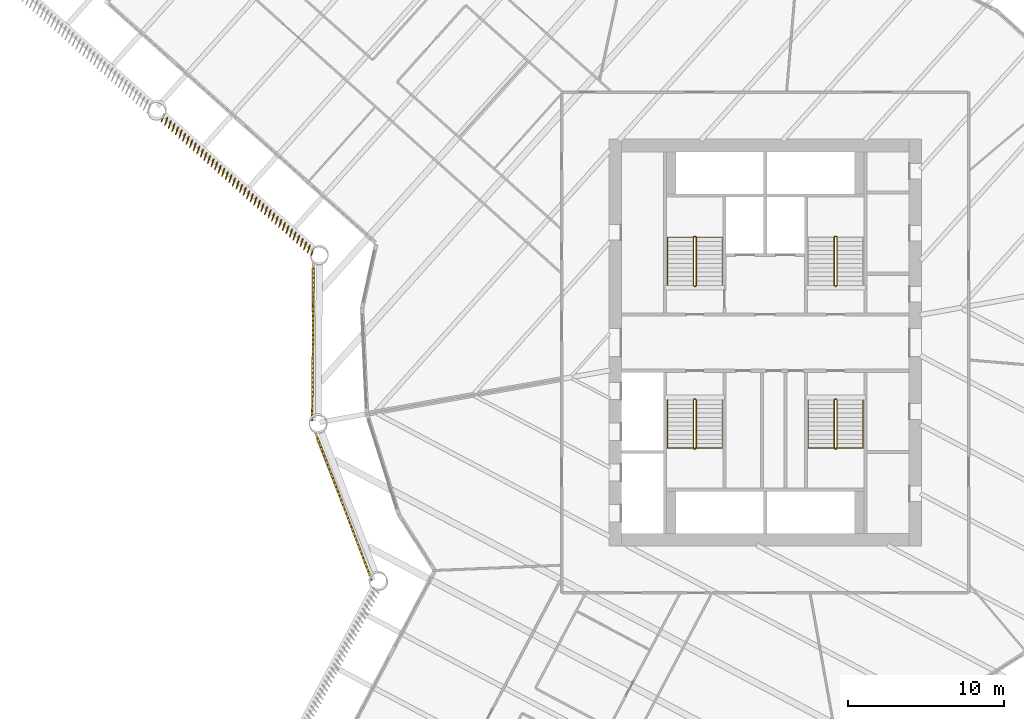
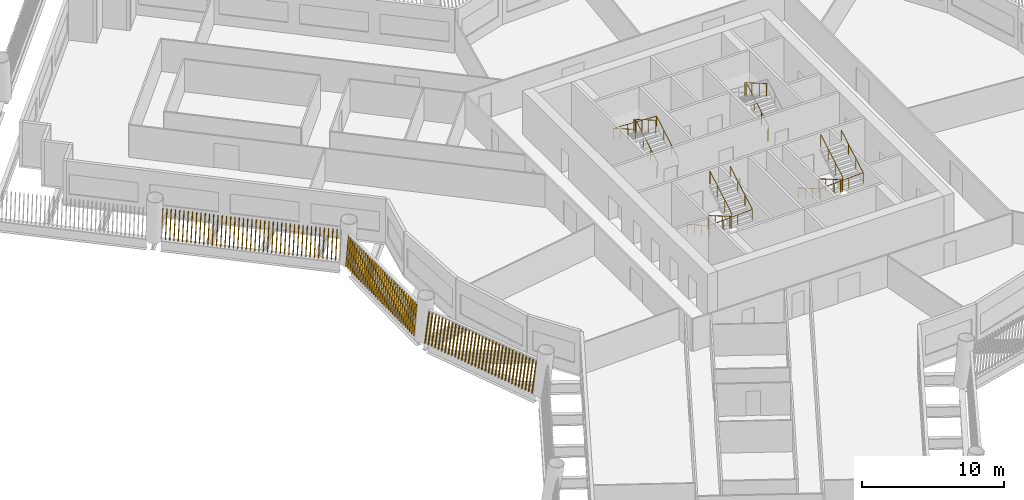
# One storey, part 12 of 16: 7 railings, 3 shading devices.
"""IFC4 building model written with IfcOpenShell, lengths in metres."""

import ifcopenshell
import ifcopenshell.guid

model = None  # the IFC model being written
_history = None  # IfcOwnerHistory: only IFC2X3 demands one
_inside = {}  # id of a spatial element -> (the spatial element, [elements in it])
_under = {}  # id of a project, library or spatial element -> (it, [spatial elements below it])
_declared = {}  # id of a project -> (the project, [libraries it declares])
_typed = {}  # id of a type object -> (the type object, [elements of that type])
_made_of = {}  # id of a material, layer set ... -> (it, [elements and type objects made of it])


def new_model(schema):
    """Start an empty IFC model of exactly this schema.

    Asked for "IFC4X3", IfcOpenShell would pick the latest addendum, in which some entities
    have other attributes; the version numbers below select the first issue.
    IFC2X3 requires an IfcOwnerHistory on every rooted entity: one is made here for all.
    """
    global model, _history
    if schema == "IFC4X3":
        model = ifcopenshell.file(schema_version=(4, 3, 0, 0))
    else:
        model = ifcopenshell.file(schema=schema)
    _inside.clear()
    _under.clear()
    _declared.clear()
    _typed.clear()
    _made_of.clear()
    _history = None
    if model.schema == "IFC2X3":
        org = make("IfcOrganization", Name="unknown")
        user = make(
            "IfcPersonAndOrganization",
            ThePerson=make("IfcPerson", FamilyName="unknown"),
            TheOrganization=org,
        )
        app = make(
            "IfcApplication",
            ApplicationDeveloper=org,
            Version="unknown",
            ApplicationFullName="unknown",
            ApplicationIdentifier="unknown",
        )
        _history = make(
            "IfcOwnerHistory",
            OwningUser=user,
            OwningApplication=app,
            ChangeAction="ADDED",
            CreationDate=0,
        )
    return model


def make(cls, **values):
    """One entity of the class cls with the attributes given. An attribute that is None is left unset."""
    return model.create_entity(
        cls, **{name: value for name, value in values.items() if value is not None}
    )


def rooted(cls, **values):
    """An entity with a GlobalId (a new one), such as an element, a storey or a relation."""
    return make(cls, GlobalId=ifcopenshell.guid.new(), OwnerHistory=_history, **values)


def si_unit(unit_type, name, prefix=None):
    """IfcSIUnit, for example si_unit("LENGTHUNIT", "METRE", prefix="MILLI")."""
    return make("IfcSIUnit", UnitType=unit_type, Prefix=prefix, Name=name)


def assignment(units):
    """IfcUnitAssignment: the units of a project."""
    return None if units is None else make("IfcUnitAssignment", Units=units)


def point(xyz):
    """IfcCartesianPoint."""
    return None if xyz is None else make("IfcCartesianPoint", Coordinates=xyz)


def direction(xyz):
    """IfcDirection."""
    return None if xyz is None else make("IfcDirection", DirectionRatios=xyz)


def frame(location, z_axis=None, x_axis=None):
    """IfcAxis2Placement3D, a coordinate frame: its origin and axes. An axis left out is left unset."""
    return make(
        "IfcAxis2Placement3D",
        Location=point(location),
        Axis=direction(z_axis),
        RefDirection=direction(x_axis),
    )


def frame_2d(location, x_axis=None):
    """IfcAxis2Placement2D, a coordinate frame in the plane: its origin and x axis."""
    return make(
        "IfcAxis2Placement2D", Location=point(location), RefDirection=direction(x_axis)
    )


def origin():
    """The frame at (0, 0, 0) with its axes left unset."""
    return frame((0.0, 0.0, 0.0))


def origin_2d():
    """The frame at (0, 0) in the plane with its x axis left unset."""
    return frame_2d((0.0, 0.0))


def place(relative_to, where):
    """IfcLocalPlacement: puts the frame where relative to a parent placement (None: the world)."""
    return make(
        "IfcLocalPlacement", PlacementRelTo=relative_to, RelativePlacement=where
    )


def context(
    kind, dimensions, precision=None, world=None, true_north=None, identifier=None
):
    """IfcGeometricRepresentationContext, for example the 3D "Model" context."""
    return make(
        "IfcGeometricRepresentationContext",
        ContextIdentifier=identifier,
        ContextType=kind,
        CoordinateSpaceDimension=dimensions,
        Precision=precision,
        WorldCoordinateSystem=world,
        TrueNorth=true_north,
    )


def subcontext(parent, identifier, kind, view, scale=None):
    """IfcGeometricRepresentationSubContext, for example "Body" below "Model"."""
    return make(
        "IfcGeometricRepresentationSubContext",
        ContextIdentifier=identifier,
        ContextType=kind,
        ParentContext=parent,
        TargetScale=scale,
        TargetView=view,
    )


def project(units=None, contexts=None):
    """IfcProject with its units and contexts."""
    return rooted(
        "IfcProject",
        Name="project",
        RepresentationContexts=contexts,
        UnitsInContext=assignment(units),
    )


def spatial(cls, under=None, at=None, **own):
    """A site, building, storey or space (cls), placed at a placement, below another one or the project."""
    s = rooted(cls, ObjectPlacement=at, **own)
    if under is not None:
        _under.setdefault(under.id(), (under, []))[1].append(s)
    return s


def profile(cls, at=None, kind="AREA", **sizes):
    """A parametric profile (cls). Its sizes go by their IFC names, for example OverallWidth=200.0."""
    return make(cls, ProfileType=kind, Position=at, **sizes)


def rectangle(**sizes):
    """IfcRectangleProfileDef."""
    return profile("IfcRectangleProfileDef", **sizes)


def circle(**sizes):
    """IfcCircleProfileDef."""
    return profile("IfcCircleProfileDef", **sizes)


def composite_profile(profiles, kind="AREA"):
    """IfcCompositeProfileDef: several profiles as one."""
    return make("IfcCompositeProfileDef", ProfileType=kind, Profiles=profiles)


def extrude(swept, where, along, depth):
    """IfcExtrudedAreaSolid: the profile swept, set in the frame where, extruded along a direction by depth."""
    return make(
        "IfcExtrudedAreaSolid",
        SweptArea=swept,
        Position=where,
        ExtrudedDirection=direction(along),
        Depth=depth,
    )


def shape(context_of_items, identifier, shape_type, items):
    """IfcShapeRepresentation: the items that make up one representation, for example the "Body"."""
    return make(
        "IfcShapeRepresentation",
        ContextOfItems=context_of_items,
        RepresentationIdentifier=identifier,
        RepresentationType=shape_type,
        Items=items,
    )


def material(Name=None, Category=None):
    """IfcMaterial."""
    return make("IfcMaterial", Name=Name, Category=Category)


def made_of(thing, what):
    """Note that an element or type object is made of a material, layer set ...; save() writes the relation."""
    if what is not None:
        _made_of.setdefault(what.id(), (what, []))[1].append(thing)
    return thing


def type_object(cls, material=None, **own):
    """A type object (cls), such as IfcWallType, which elements share."""
    return made_of(rooted(cls, **own), material)


def element(
    cls,
    number,
    at=None,
    inside=None,
    cuts=None,
    type_object=None,
    material=None,
    context=None,
    identifier="Body",
    shape_type=None,
    held_by="IfcProductDefinitionShape",
    body=None,
    shapes=None,
    **own,
):
    """One element of the class cls, such as IfcWall. Its Tag is "e" and its number.

    at: its placement. inside: the storey or other place that contains it. cuts: it is an
    opening in that element (IfcRelVoidsElement). A single representation is given by context,
    identifier, shape_type and body (its items); several are given by shapes. held_by: the class
    of the entity that holds the representations. save() writes the other relations.
    """
    e = rooted(cls, Tag="e%d" % number, ObjectPlacement=at, **own)
    if body is not None:
        shapes = [shape(context, identifier, shape_type, body)]
    if shapes is not None:
        e.Representation = make(held_by, Representations=shapes)
    if inside is not None:
        _inside.setdefault(inside.id(), (inside, []))[1].append(e)
    if cuts is not None:
        rooted(
            "IfcRelVoidsElement", RelatingBuildingElement=cuts, RelatedOpeningElement=e
        )
    if type_object is not None:
        _typed.setdefault(type_object.id(), (type_object, []))[1].append(e)
    return made_of(e, material)


def aggregate(whole, parts):
    """IfcRelAggregates: a whole, such as a stair, and the parts it consists of."""
    return rooted("IfcRelAggregates", RelatingObject=whole, RelatedObjects=parts)


def save(model, path):
    """Write the relations noted so far, then the file.

    IfcRelAggregates (storeys below a building ...), IfcRelContainedInSpatialStructure (elements
    in a storey), IfcRelDefinesByType, IfcRelAssociatesMaterial and IfcRelDeclares: one each for
    every whole, place, type object, material and project.
    """
    for whole, parts in _under.values():
        aggregate(whole, parts)
    for where, things in _inside.values():
        rooted(
            "IfcRelContainedInSpatialStructure",
            RelatedElements=things,
            RelatingStructure=where,
        )
    for kind, things in _typed.values():
        rooted("IfcRelDefinesByType", RelatedObjects=things, RelatingType=kind)
    for what, things in _made_of.values():
        rooted("IfcRelAssociatesMaterial", RelatedObjects=things, RelatingMaterial=what)
    for by, libraries in _declared.values():
        rooted("IfcRelDeclares", RelatingContext=by, RelatedDefinitions=libraries)
    model.write(path)


model = new_model("IFC4")

# Units and contexts
model_context = context("Model", 3, precision=1e-05, world=origin(), true_north=direction((0.0, 1.0)))
body_context = subcontext(model_context, "Body", "Model", "MODEL_VIEW")
ifc_project = project(units=[si_unit("LENGTHUNIT", "METRE"), si_unit("AREAUNIT", "SQUARE_METRE"), si_unit("VOLUMEUNIT", "CUBIC_METRE"), si_unit("PLANEANGLEUNIT", "RADIAN"), si_unit("MASSUNIT", "GRAM", prefix="KILO")], contexts=[model_context])

# Site, building, storey
site_placement = place(None, origin())
site = spatial("IfcSite", under=ifc_project, at=site_placement, CompositionType="ELEMENT")
building_placement = place(site_placement, origin())
building = spatial("IfcBuilding", under=site, at=building_placement, Name="Tarsis Ring Headquarters", CompositionType="ELEMENT")
storey_placement = place(building_placement, frame((0.0, 0.0, 96.699951171875)))
storey = spatial("IfcBuildingStorey", under=building, at=storey_placement, Name="L21", CompositionType="ELEMENT", Elevation=96.699951171875)

# Railings
ifc_material_1 = material(Name="Steel S355", Category="steel")
railing_type_1 = type_object("IfcRailingType", Name="Core stair guard 1100", PredefinedType="GUARDRAIL", material=ifc_material_1)
railing_1_placement = place(storey_placement, frame((-4.5400390625, 3.610107421875, 0.0)))
element("IfcRailing", 1, at=railing_1_placement, inside=storey, type_object=railing_type_1, Name="L21 ST1 stair guard 1", PredefinedType="GUARDRAIL", context=body_context, shape_type="SweptSolid", body=[
    extrude(circle(Radius=0.02392578125, at=origin_2d()), frame((0.0, 0.0, 1.076171875), z_axis=(1.0, 0.0, 0.0), x_axis=(0.0, 1.0, 0.0)), (0.0, 0.0, 1.0), 0.080078125),
    extrude(circle(Radius=0.02392578125, at=origin_2d()), frame((0.080078125, 0.0, 1.076171875), z_axis=(0.282336740067, 0.280959487676, 0.917250092119), x_axis=(-0.705375805398, 0.708833529934, 0.0)), (0.0, 0.0, 1.0), 0.17724609375),
    extrude(circle(Radius=0.02392578125, at=origin_2d()), frame((0.130126953125, 0.0498046875, 1.23876953125), z_axis=(0.0, 0.864920483161, 0.501908913857), x_axis=(-1.0, 0.0, 0.0)), (0.0, 0.0, 1.0), 3.56103515625),
    extrude(circle(Radius=0.02392578125, at=origin_2d()), frame((0.130126953125, 3.1298828125, 3.02587890625), z_axis=(-0.707106781187, 0.707106781187, 0.0), x_axis=(-0.707106781187, -0.707106781187, 0.0)), (0.0, 0.0, 1.0), 0.07080078125),
    extrude(circle(Radius=0.02392578125, at=origin_2d()), frame((0.080078125, 3.179931640625, 3.02587890625), z_axis=(-1.0, 0.0, 0.0), x_axis=(0.0, -1.0, 0.0)), (0.0, 0.0, 1.0), 0.080078125),
    extrude(circle(Radius=0.02392578125, at=origin_2d()), frame((0.0, 3.179931640625, 3.02587890625), z_axis=(-0.282227285176, -0.282227285176, 0.916894497205), x_axis=(0.707106781187, -0.707106781187, 0.0)), (0.0, 0.0, 1.0), 0.17724609375),
    extrude(circle(Radius=0.02392578125, at=origin_2d()), frame((-0.050048828125, 3.1298828125, 3.1884765625), z_axis=(0.0, -0.864890721111, 0.501960198159), x_axis=(1.0, 0.0, 0.0)), (0.0, 0.0, 1.0), 3.561279296875),
    extrude(circle(Radius=0.02099609375, at=origin_2d()), origin(), (0.0, 0.0, 1.0), 1.052001953125),
    extrude(circle(Radius=0.02099609375, at=origin_2d()), frame((0.080078125, 0.0, 0.0)), (0.0, 0.0, 1.0), 1.052001953125),
    extrude(circle(Radius=0.02099609375, at=origin_2d()), frame((0.130126953125, 0.0498046875, 0.16259765625)), (0.0, 0.0, 1.0), 1.052001953125),
    extrude(circle(Radius=0.02099609375, at=origin_2d()), frame((0.130126953125, 1.076416015625, 0.75830078125)), (0.0, 0.0, 1.0), 1.052001953125),
    extrude(circle(Radius=0.02099609375, at=origin_2d()), frame((0.130126953125, 2.103271484375, 1.354248046875)), (0.0, 0.0, 1.0), 1.052001953125),
    extrude(circle(Radius=0.02099609375, at=origin_2d()), frame((0.130126953125, 3.1298828125, 1.949951171875)), (0.0, 0.0, 1.0), 1.052001953125),
    extrude(circle(Radius=0.02099609375, at=origin_2d()), frame((0.080078125, 3.179931640625, 1.949951171875)), (0.0, 0.0, 1.0), 1.052001953125),
    extrude(circle(Radius=0.02099609375, at=origin_2d()), frame((0.0, 3.179931640625, 1.949951171875)), (0.0, 0.0, 1.0), 1.052001953125),
    extrude(circle(Radius=0.02099609375, at=origin_2d()), frame((-0.050048828125, 3.1298828125, 2.112548828125)), (0.0, 0.0, 1.0), 1.052001953125),
    extrude(circle(Radius=0.02099609375, at=origin_2d()), frame((-0.050048828125, 2.103271484375, 2.70849609375)), (0.0, 0.0, 1.0), 1.052001953125),
    extrude(circle(Radius=0.02099609375, at=origin_2d()), frame((-0.050048828125, 1.076416015625, 3.30419921875)), (0.0, 0.0, 1.0), 1.052001953125),
    extrude(circle(Radius=0.02099609375, at=origin_2d()), frame((-0.050048828125, 0.0498046875, 3.900146484375)), (0.0, 0.0, 1.0), 1.052001953125),
])
railing_2_placement = place(storey_placement, frame((4.4599609375, 3.610107421875, 0.0)))
element("IfcRailing", 2, at=railing_2_placement, inside=storey, type_object=railing_type_1, Name="L21 ST2 stair guard 1", PredefinedType="GUARDRAIL", context=body_context, shape_type="SweptSolid", body=[
    extrude(circle(Radius=0.02392578125, at=origin_2d()), frame((0.0, 0.0, 1.076171875), z_axis=(1.0, 0.0, 0.0), x_axis=(0.0, 1.0, 0.0)), (0.0, 0.0, 1.0), 0.080078125),
    extrude(circle(Radius=0.02392578125, at=origin_2d()), frame((0.080078125, 0.0, 1.076171875), z_axis=(0.282336740067, 0.280959487676, 0.917250092119), x_axis=(-0.705375805398, 0.708833529934, 0.0)), (0.0, 0.0, 1.0), 0.17724609375),
    extrude(circle(Radius=0.02392578125, at=origin_2d()), frame((0.130126953125, 0.0498046875, 1.23876953125), z_axis=(0.0, 0.864920483161, 0.501908913857), x_axis=(-1.0, 0.0, 0.0)), (0.0, 0.0, 1.0), 3.56103515625),
    extrude(circle(Radius=0.02392578125, at=origin_2d()), frame((0.130126953125, 3.1298828125, 3.02587890625), z_axis=(-0.707106781187, 0.707106781187, 0.0), x_axis=(-0.707106781187, -0.707106781187, 0.0)), (0.0, 0.0, 1.0), 0.07080078125),
    extrude(circle(Radius=0.02392578125, at=origin_2d()), frame((0.080078125, 3.179931640625, 3.02587890625), z_axis=(-1.0, 0.0, 0.0), x_axis=(0.0, -1.0, 0.0)), (0.0, 0.0, 1.0), 0.080078125),
    extrude(circle(Radius=0.02392578125, at=origin_2d()), frame((0.0, 3.179931640625, 3.02587890625), z_axis=(-0.282227285176, -0.282227285176, 0.916894497205), x_axis=(0.707106781187, -0.707106781187, 0.0)), (0.0, 0.0, 1.0), 0.17724609375),
    extrude(circle(Radius=0.02392578125, at=origin_2d()), frame((-0.050048828125, 3.1298828125, 3.1884765625), z_axis=(0.0, -0.864890721111, 0.501960198159), x_axis=(1.0, 0.0, 0.0)), (0.0, 0.0, 1.0), 3.561279296875),
    extrude(circle(Radius=0.02099609375, at=origin_2d()), origin(), (0.0, 0.0, 1.0), 1.052001953125),
    extrude(circle(Radius=0.02099609375, at=origin_2d()), frame((0.080078125, 0.0, 0.0)), (0.0, 0.0, 1.0), 1.052001953125),
    extrude(circle(Radius=0.02099609375, at=origin_2d()), frame((0.130126953125, 0.0498046875, 0.16259765625)), (0.0, 0.0, 1.0), 1.052001953125),
    extrude(circle(Radius=0.02099609375, at=origin_2d()), frame((0.130126953125, 1.076416015625, 0.75830078125)), (0.0, 0.0, 1.0), 1.052001953125),
    extrude(circle(Radius=0.02099609375, at=origin_2d()), frame((0.130126953125, 2.103271484375, 1.354248046875)), (0.0, 0.0, 1.0), 1.052001953125),
    extrude(circle(Radius=0.02099609375, at=origin_2d()), frame((0.130126953125, 3.1298828125, 1.949951171875)), (0.0, 0.0, 1.0), 1.052001953125),
    extrude(circle(Radius=0.02099609375, at=origin_2d()), frame((0.080078125, 3.179931640625, 1.949951171875)), (0.0, 0.0, 1.0), 1.052001953125),
    extrude(circle(Radius=0.02099609375, at=origin_2d()), frame((0.0, 3.179931640625, 1.949951171875)), (0.0, 0.0, 1.0), 1.052001953125),
    extrude(circle(Radius=0.02099609375, at=origin_2d()), frame((-0.050048828125, 3.1298828125, 2.112548828125)), (0.0, 0.0, 1.0), 1.052001953125),
    extrude(circle(Radius=0.02099609375, at=origin_2d()), frame((-0.050048828125, 2.103271484375, 2.70849609375)), (0.0, 0.0, 1.0), 1.052001953125),
    extrude(circle(Radius=0.02099609375, at=origin_2d()), frame((-0.050048828125, 1.076416015625, 3.30419921875)), (0.0, 0.0, 1.0), 1.052001953125),
    extrude(circle(Radius=0.02099609375, at=origin_2d()), frame((-0.050048828125, 0.0498046875, 3.900146484375)), (0.0, 0.0, 1.0), 1.052001953125),
])
railing_3_placement = place(storey_placement, frame((-4.4599609375, -3.610107421875, 0.0)))
element("IfcRailing", 3, at=railing_3_placement, inside=storey, type_object=railing_type_1, Name="L21 ST3 stair guard 1", PredefinedType="GUARDRAIL", context=body_context, shape_type="SweptSolid", body=[
    extrude(circle(Radius=0.02392578125, at=origin_2d()), frame((0.0, 0.0, 1.076171875), z_axis=(-1.0, 0.0, 0.0), x_axis=(0.0, -1.0, 0.0)), (0.0, 0.0, 1.0), 0.080078125),
    extrude(circle(Radius=0.02392578125, at=origin_2d()), frame((-0.080078125, 0.0, 1.076171875), z_axis=(-0.282336740067, -0.280959487676, 0.917250092119), x_axis=(0.705375805398, -0.708833529934, 0.0)), (0.0, 0.0, 1.0), 0.17724609375),
    extrude(circle(Radius=0.02392578125, at=origin_2d()), frame((-0.130126953125, -0.0498046875, 1.23876953125), z_axis=(0.0, -0.864920483161, 0.501908913857), x_axis=(1.0, 0.0, 0.0)), (0.0, 0.0, 1.0), 3.56103515625),
    extrude(circle(Radius=0.02392578125, at=origin_2d()), frame((-0.130126953125, -3.1298828125, 3.02587890625), z_axis=(0.707106781187, -0.707106781187, 0.0), x_axis=(0.707106781187, 0.707106781187, 0.0)), (0.0, 0.0, 1.0), 0.07080078125),
    extrude(circle(Radius=0.02392578125, at=origin_2d()), frame((-0.080078125, -3.179931640625, 3.02587890625), z_axis=(1.0, 0.0, 0.0), x_axis=(0.0, 1.0, 0.0)), (0.0, 0.0, 1.0), 0.080078125),
    extrude(circle(Radius=0.02392578125, at=origin_2d()), frame((0.0, -3.179931640625, 3.02587890625), z_axis=(0.282227285176, 0.282227285176, 0.916894497205), x_axis=(-0.707106781187, 0.707106781187, 0.0)), (0.0, 0.0, 1.0), 0.17724609375),
    extrude(circle(Radius=0.02392578125, at=origin_2d()), frame((0.050048828125, -3.1298828125, 3.1884765625), z_axis=(0.0, 0.864890721111, 0.501960198159), x_axis=(-1.0, 0.0, 0.0)), (0.0, 0.0, 1.0), 3.561279296875),
    extrude(circle(Radius=0.02099609375, at=origin_2d()), origin(), (0.0, 0.0, 1.0), 1.052001953125),
    extrude(circle(Radius=0.02099609375, at=origin_2d()), frame((-0.080078125, 0.0, 0.0)), (0.0, 0.0, 1.0), 1.052001953125),
    extrude(circle(Radius=0.02099609375, at=origin_2d()), frame((-0.130126953125, -0.0498046875, 0.16259765625)), (0.0, 0.0, 1.0), 1.052001953125),
    extrude(circle(Radius=0.02099609375, at=origin_2d()), frame((-0.130126953125, -1.076416015625, 0.75830078125)), (0.0, 0.0, 1.0), 1.052001953125),
    extrude(circle(Radius=0.02099609375, at=origin_2d()), frame((-0.130126953125, -2.103271484375, 1.354248046875)), (0.0, 0.0, 1.0), 1.052001953125),
    extrude(circle(Radius=0.02099609375, at=origin_2d()), frame((-0.130126953125, -3.1298828125, 1.949951171875)), (0.0, 0.0, 1.0), 1.052001953125),
    extrude(circle(Radius=0.02099609375, at=origin_2d()), frame((-0.080078125, -3.179931640625, 1.949951171875)), (0.0, 0.0, 1.0), 1.052001953125),
    extrude(circle(Radius=0.02099609375, at=origin_2d()), frame((0.0, -3.179931640625, 1.949951171875)), (0.0, 0.0, 1.0), 1.052001953125),
    extrude(circle(Radius=0.02099609375, at=origin_2d()), frame((0.050048828125, -3.1298828125, 2.112548828125)), (0.0, 0.0, 1.0), 1.052001953125),
    extrude(circle(Radius=0.02099609375, at=origin_2d()), frame((0.050048828125, -2.103271484375, 2.70849609375)), (0.0, 0.0, 1.0), 1.052001953125),
    extrude(circle(Radius=0.02099609375, at=origin_2d()), frame((0.050048828125, -1.076416015625, 3.30419921875)), (0.0, 0.0, 1.0), 1.052001953125),
    extrude(circle(Radius=0.02099609375, at=origin_2d()), frame((0.050048828125, -0.0498046875, 3.900146484375)), (0.0, 0.0, 1.0), 1.052001953125),
])
railing_4_placement = place(storey_placement, frame((4.5400390625, -3.610107421875, 0.0)))
element("IfcRailing", 4, at=railing_4_placement, inside=storey, type_object=railing_type_1, Name="L21 ST4 stair guard 1", PredefinedType="GUARDRAIL", context=body_context, shape_type="SweptSolid", body=[
    extrude(circle(Radius=0.02392578125, at=origin_2d()), frame((0.0, 0.0, 1.076171875), z_axis=(-1.0, 0.0, 0.0), x_axis=(0.0, -1.0, 0.0)), (0.0, 0.0, 1.0), 0.080078125),
    extrude(circle(Radius=0.02392578125, at=origin_2d()), frame((-0.080078125, 0.0, 1.076171875), z_axis=(-0.282336740067, -0.280959487676, 0.917250092119), x_axis=(0.705375805398, -0.708833529934, 0.0)), (0.0, 0.0, 1.0), 0.17724609375),
    extrude(circle(Radius=0.02392578125, at=origin_2d()), frame((-0.130126953125, -0.0498046875, 1.23876953125), z_axis=(0.0, -0.864920483161, 0.501908913857), x_axis=(1.0, 0.0, 0.0)), (0.0, 0.0, 1.0), 3.56103515625),
    extrude(circle(Radius=0.02392578125, at=origin_2d()), frame((-0.130126953125, -3.1298828125, 3.02587890625), z_axis=(0.707106781187, -0.707106781187, 0.0), x_axis=(0.707106781187, 0.707106781187, 0.0)), (0.0, 0.0, 1.0), 0.07080078125),
    extrude(circle(Radius=0.02392578125, at=origin_2d()), frame((-0.080078125, -3.179931640625, 3.02587890625), z_axis=(1.0, 0.0, 0.0), x_axis=(0.0, 1.0, 0.0)), (0.0, 0.0, 1.0), 0.080078125),
    extrude(circle(Radius=0.02392578125, at=origin_2d()), frame((0.0, -3.179931640625, 3.02587890625), z_axis=(0.282227285176, 0.282227285176, 0.916894497205), x_axis=(-0.707106781187, 0.707106781187, 0.0)), (0.0, 0.0, 1.0), 0.17724609375),
    extrude(circle(Radius=0.02392578125, at=origin_2d()), frame((0.050048828125, -3.1298828125, 3.1884765625), z_axis=(0.0, 0.864890721111, 0.501960198159), x_axis=(-1.0, 0.0, 0.0)), (0.0, 0.0, 1.0), 3.561279296875),
    extrude(circle(Radius=0.02099609375, at=origin_2d()), origin(), (0.0, 0.0, 1.0), 1.052001953125),
    extrude(circle(Radius=0.02099609375, at=origin_2d()), frame((-0.080078125, 0.0, 0.0)), (0.0, 0.0, 1.0), 1.052001953125),
    extrude(circle(Radius=0.02099609375, at=origin_2d()), frame((-0.130126953125, -0.0498046875, 0.16259765625)), (0.0, 0.0, 1.0), 1.052001953125),
    extrude(circle(Radius=0.02099609375, at=origin_2d()), frame((-0.130126953125, -1.076416015625, 0.75830078125)), (0.0, 0.0, 1.0), 1.052001953125),
    extrude(circle(Radius=0.02099609375, at=origin_2d()), frame((-0.130126953125, -2.103271484375, 1.354248046875)), (0.0, 0.0, 1.0), 1.052001953125),
    extrude(circle(Radius=0.02099609375, at=origin_2d()), frame((-0.130126953125, -3.1298828125, 1.949951171875)), (0.0, 0.0, 1.0), 1.052001953125),
    extrude(circle(Radius=0.02099609375, at=origin_2d()), frame((-0.080078125, -3.179931640625, 1.949951171875)), (0.0, 0.0, 1.0), 1.052001953125),
    extrude(circle(Radius=0.02099609375, at=origin_2d()), frame((0.0, -3.179931640625, 1.949951171875)), (0.0, 0.0, 1.0), 1.052001953125),
    extrude(circle(Radius=0.02099609375, at=origin_2d()), frame((0.050048828125, -3.1298828125, 2.112548828125)), (0.0, 0.0, 1.0), 1.052001953125),
    extrude(circle(Radius=0.02099609375, at=origin_2d()), frame((0.050048828125, -2.103271484375, 2.70849609375)), (0.0, 0.0, 1.0), 1.052001953125),
    extrude(circle(Radius=0.02099609375, at=origin_2d()), frame((0.050048828125, -1.076416015625, 3.30419921875)), (0.0, 0.0, 1.0), 1.052001953125),
    extrude(circle(Radius=0.02099609375, at=origin_2d()), frame((0.050048828125, -0.0498046875, 3.900146484375)), (0.0, 0.0, 1.0), 1.052001953125),
])
railing_type_2 = type_object("IfcRailingType", Name="Core stair handrail 900", PredefinedType="HANDRAIL", material=ifc_material_1)
railing_5_placement = place(storey_placement, frame((-2.75, 3.659912109375, 0.16259765625)))
element("IfcRailing", 5, at=railing_5_placement, inside=storey, type_object=railing_type_2, Name="L21 ST1 stair handrail 1", PredefinedType="HANDRAIL", context=body_context, shape_type="SweptSolid", body=[
    extrude(circle(Radius=0.02392578125, at=origin_2d()), frame((0.0, 0.0, 0.8759765625), z_axis=(0.0, 0.864920483161, 0.501908913857), x_axis=(-1.0, 0.0, 0.0)), (0.0, 0.0, 1.0), 3.56103515625),
    extrude(circle(Radius=0.02392578125, at=origin_2d()), frame((0.0, 3.080078125, 2.6630859375), z_axis=(-0.998922641604, 0.0, 0.046406422943), x_axis=(0.0, -1.0, 0.0)), (0.0, 0.0, 1.0), 3.503662109375),
    extrude(circle(Radius=0.02392578125, at=origin_2d()), frame((-3.5, 3.080078125, 2.82568359375), z_axis=(0.0, -0.864890721111, 0.501960198159), x_axis=(1.0, 0.0, 0.0)), (0.0, 0.0, 1.0), 3.561279296875),
    extrude(circle(Radius=0.02099609375, at=origin_2d()), origin(), (0.0, 0.0, 1.0), 0.851806640625),
    extrude(circle(Radius=0.02099609375, at=origin_2d()), frame((0.0, 1.026611328125, 0.595703125)), (0.0, 0.0, 1.0), 0.851806640625),
    extrude(circle(Radius=0.02099609375, at=origin_2d()), frame((0.0, 2.053466796875, 1.191650390625)), (0.0, 0.0, 1.0), 0.851806640625),
    extrude(circle(Radius=0.02099609375, at=origin_2d()), frame((0.0, 3.080078125, 1.787353515625)), (0.0, 0.0, 1.0), 0.851806640625),
    extrude(circle(Radius=0.02099609375, at=origin_2d()), frame((-1.166748046875, 3.080078125, 1.841552734375)), (0.0, 0.0, 1.0), 0.851806640625),
    extrude(circle(Radius=0.02099609375, at=origin_2d()), frame((-2.333251953125, 3.080078125, 1.895751953125)), (0.0, 0.0, 1.0), 0.851806640625),
    extrude(circle(Radius=0.02099609375, at=origin_2d()), frame((-3.5, 3.080078125, 1.949951171875)), (0.0, 0.0, 1.0), 0.851806640625),
    extrude(circle(Radius=0.02099609375, at=origin_2d()), frame((-3.5, 2.053466796875, 2.5458984375)), (0.0, 0.0, 1.0), 0.851806640625),
    extrude(circle(Radius=0.02099609375, at=origin_2d()), frame((-3.5, 1.026611328125, 3.1416015625)), (0.0, 0.0, 1.0), 0.851806640625),
    extrude(circle(Radius=0.02099609375, at=origin_2d()), frame((-3.5, 0.0, 3.737548828125)), (0.0, 0.0, 1.0), 0.851806640625),
])
railing_6_placement = place(storey_placement, frame((-6.25, -3.659912109375, 0.16259765625)))
element("IfcRailing", 6, at=railing_6_placement, inside=storey, type_object=railing_type_2, Name="L21 ST3 stair handrail 1", PredefinedType="HANDRAIL", context=body_context, shape_type="SweptSolid", body=[
    extrude(circle(Radius=0.02392578125, at=origin_2d()), frame((0.0, 0.0, 0.8759765625), z_axis=(0.0, -0.864920483161, 0.501908913857), x_axis=(1.0, 0.0, 0.0)), (0.0, 0.0, 1.0), 3.56103515625),
    extrude(circle(Radius=0.02392578125, at=origin_2d()), frame((0.0, -3.080078125, 2.6630859375), z_axis=(0.998922641604, 0.0, 0.046406422943), x_axis=(0.0, 1.0, 0.0)), (0.0, 0.0, 1.0), 3.503662109375),
    extrude(circle(Radius=0.02392578125, at=origin_2d()), frame((3.5, -3.080078125, 2.82568359375), z_axis=(0.0, 0.864890721111, 0.501960198159), x_axis=(-1.0, 0.0, 0.0)), (0.0, 0.0, 1.0), 3.561279296875),
    extrude(circle(Radius=0.02099609375, at=origin_2d()), origin(), (0.0, 0.0, 1.0), 0.851806640625),
    extrude(circle(Radius=0.02099609375, at=origin_2d()), frame((0.0, -1.026611328125, 0.595703125)), (0.0, 0.0, 1.0), 0.851806640625),
    extrude(circle(Radius=0.02099609375, at=origin_2d()), frame((0.0, -2.053466796875, 1.191650390625)), (0.0, 0.0, 1.0), 0.851806640625),
    extrude(circle(Radius=0.02099609375, at=origin_2d()), frame((0.0, -3.080078125, 1.787353515625)), (0.0, 0.0, 1.0), 0.851806640625),
    extrude(circle(Radius=0.02099609375, at=origin_2d()), frame((1.166748046875, -3.080078125, 1.841552734375)), (0.0, 0.0, 1.0), 0.851806640625),
    extrude(circle(Radius=0.02099609375, at=origin_2d()), frame((2.333251953125, -3.080078125, 1.895751953125)), (0.0, 0.0, 1.0), 0.851806640625),
    extrude(circle(Radius=0.02099609375, at=origin_2d()), frame((3.5, -3.080078125, 1.949951171875)), (0.0, 0.0, 1.0), 0.851806640625),
    extrude(circle(Radius=0.02099609375, at=origin_2d()), frame((3.5, -2.053466796875, 2.5458984375)), (0.0, 0.0, 1.0), 0.851806640625),
    extrude(circle(Radius=0.02099609375, at=origin_2d()), frame((3.5, -1.026611328125, 3.1416015625)), (0.0, 0.0, 1.0), 0.851806640625),
    extrude(circle(Radius=0.02099609375, at=origin_2d()), frame((3.5, 0.0, 3.737548828125)), (0.0, 0.0, 1.0), 0.851806640625),
])
railing_7_placement = place(storey_placement, frame((2.75, -3.659912109375, 0.16259765625)))
element("IfcRailing", 7, at=railing_7_placement, inside=storey, type_object=railing_type_2, Name="L21 ST4 stair handrail 1", PredefinedType="HANDRAIL", context=body_context, shape_type="SweptSolid", body=[
    extrude(circle(Radius=0.02392578125, at=origin_2d()), frame((0.0, 0.0, 0.8759765625), z_axis=(0.0, -0.864920483161, 0.501908913857), x_axis=(1.0, 0.0, 0.0)), (0.0, 0.0, 1.0), 3.56103515625),
    extrude(circle(Radius=0.02392578125, at=origin_2d()), frame((0.0, -3.080078125, 2.6630859375), z_axis=(0.998922641604, 0.0, 0.046406422943), x_axis=(0.0, 1.0, 0.0)), (0.0, 0.0, 1.0), 3.503662109375),
    extrude(circle(Radius=0.02392578125, at=origin_2d()), frame((3.5, -3.080078125, 2.82568359375), z_axis=(0.0, 0.864890721111, 0.501960198159), x_axis=(-1.0, 0.0, 0.0)), (0.0, 0.0, 1.0), 3.561279296875),
    extrude(circle(Radius=0.02099609375, at=origin_2d()), origin(), (0.0, 0.0, 1.0), 0.851806640625),
    extrude(circle(Radius=0.02099609375, at=origin_2d()), frame((0.0, -1.026611328125, 0.595703125)), (0.0, 0.0, 1.0), 0.851806640625),
    extrude(circle(Radius=0.02099609375, at=origin_2d()), frame((0.0, -2.053466796875, 1.191650390625)), (0.0, 0.0, 1.0), 0.851806640625),
    extrude(circle(Radius=0.02099609375, at=origin_2d()), frame((0.0, -3.080078125, 1.787353515625)), (0.0, 0.0, 1.0), 0.851806640625),
    extrude(circle(Radius=0.02099609375, at=origin_2d()), frame((1.166748046875, -3.080078125, 1.841552734375)), (0.0, 0.0, 1.0), 0.851806640625),
    extrude(circle(Radius=0.02099609375, at=origin_2d()), frame((2.333251953125, -3.080078125, 1.895751953125)), (0.0, 0.0, 1.0), 0.851806640625),
    extrude(circle(Radius=0.02099609375, at=origin_2d()), frame((3.5, -3.080078125, 1.949951171875)), (0.0, 0.0, 1.0), 0.851806640625),
    extrude(circle(Radius=0.02099609375, at=origin_2d()), frame((3.5, -2.053466796875, 2.5458984375)), (0.0, 0.0, 1.0), 0.851806640625),
    extrude(circle(Radius=0.02099609375, at=origin_2d()), frame((3.5, -1.026611328125, 3.1416015625)), (0.0, 0.0, 1.0), 0.851806640625),
    extrude(circle(Radius=0.02099609375, at=origin_2d()), frame((3.5, 0.0, 3.737548828125)), (0.0, 0.0, 1.0), 0.851806640625),
])

# Shading devices
ifc_material_2 = material(Name="Terracotta baguette", Category="masonry")
shading_device_type = type_object("IfcShadingDeviceType", Name="Terracotta baguette screen", PredefinedType="USERDEFINED", material=ifc_material_2)
shading_device_1_placement = place(storey_placement, frame((-28.767578125, -5.71484375, 0.0), z_axis=(0.0, 0.0, 1.0), x_axis=(0.355527795128, -0.934665833854, 0.0)))
element("IfcShadingDevice", 8, at=shading_device_1_placement, inside=storey, type_object=shading_device_type, Name="Baguette screen L21-00", ObjectType="Terracotta baguette screen", PredefinedType="USERDEFINED", context=body_context, shape_type="SweptSolid", body=[
    extrude(composite_profile([rectangle(XDim=0.06005859375, YDim=0.1201171875, at=frame_2d((0.030029296875, 0.0))), rectangle(XDim=0.06005859375, YDim=0.1201171875, at=frame_2d((0.33349609375, 0.0))), rectangle(XDim=0.06005859375, YDim=0.1201171875, at=frame_2d((0.636962890625, 0.0))), rectangle(XDim=0.06005859375, YDim=0.1201171875, at=frame_2d((0.9404296875, 0.0))), rectangle(XDim=0.06005859375, YDim=0.1201171875, at=frame_2d((1.243896484375, 0.0))), rectangle(XDim=0.06005859375, YDim=0.1201171875, at=frame_2d((1.54736328125, 0.0))), rectangle(XDim=0.06005859375, YDim=0.1201171875, at=frame_2d((1.85107421875, 0.0))), rectangle(XDim=0.06005859375, YDim=0.1201171875, at=frame_2d((2.154541015625, 0.0))), rectangle(XDim=0.06005859375, YDim=0.1201171875, at=frame_2d((2.4580078125, 0.0))), rectangle(XDim=0.06005859375, YDim=0.1201171875, at=frame_2d((2.761474609375, 0.0))), rectangle(XDim=0.06005859375, YDim=0.1201171875, at=frame_2d((3.06494140625, 0.0))), rectangle(XDim=0.06005859375, YDim=0.1201171875, at=frame_2d((3.368408203125, 0.0))), rectangle(XDim=0.06005859375, YDim=0.1201171875, at=frame_2d((3.671875, 0.0))), rectangle(XDim=0.06005859375, YDim=0.1201171875, at=frame_2d((3.975341796875, 0.0))), rectangle(XDim=0.06005859375, YDim=0.1201171875, at=frame_2d((4.27880859375, 0.0))), rectangle(XDim=0.06005859375, YDim=0.1201171875, at=frame_2d((4.582275390625, 0.0))), rectangle(XDim=0.06005859375, YDim=0.1201171875, at=frame_2d((4.8857421875, 0.0))), rectangle(XDim=0.06005859375, YDim=0.1201171875, at=frame_2d((5.189453125, 0.0))), rectangle(XDim=0.06005859375, YDim=0.1201171875, at=frame_2d((5.492919921875, 0.0))), rectangle(XDim=0.06005859375, YDim=0.1201171875, at=frame_2d((5.79638671875, 0.0))), rectangle(XDim=0.06005859375, YDim=0.1201171875, at=frame_2d((6.099853515625, 0.0))), rectangle(XDim=0.06005859375, YDim=0.1201171875, at=frame_2d((6.4033203125, 0.0))), rectangle(XDim=0.06005859375, YDim=0.1201171875, at=frame_2d((6.706787109375, 0.0))), rectangle(XDim=0.06005859375, YDim=0.1201171875, at=frame_2d((7.01025390625, 0.0))), rectangle(XDim=0.06005859375, YDim=0.1201171875, at=frame_2d((7.313720703125, 0.0))), rectangle(XDim=0.06005859375, YDim=0.1201171875, at=frame_2d((7.6171875, 0.0))), rectangle(XDim=0.06005859375, YDim=0.1201171875, at=frame_2d((7.920654296875, 0.0))), rectangle(XDim=0.06005859375, YDim=0.1201171875, at=frame_2d((8.224365234375, 0.0))), rectangle(XDim=0.06005859375, YDim=0.1201171875, at=frame_2d((8.52783203125, 0.0))), rectangle(XDim=0.06005859375, YDim=0.1201171875, at=frame_2d((8.831298828125, 0.0))), rectangle(XDim=0.06005859375, YDim=0.1201171875, at=frame_2d((9.134765625, 0.0))), rectangle(XDim=0.06005859375, YDim=0.1201171875, at=frame_2d((9.438232421875, 0.0))), rectangle(XDim=0.06005859375, YDim=0.1201171875, at=frame_2d((9.74169921875, 0.0)))]), origin(), (0.132165404323, 0.000897665227, 0.99122726965), 2.978759765625),
])
shading_device_2_placement = place(storey_placement, frame((-38.47412109375, 14.6005859375, 0.0), z_axis=(0.0, 0.0, 1.0), x_axis=(0.744777475023, -0.667310021193, 0.0)))
element("IfcShadingDevice", 9, at=shading_device_2_placement, inside=storey, type_object=shading_device_type, Name="Baguette screen L21-20", ObjectType="Terracotta baguette screen", PredefinedType="USERDEFINED", context=body_context, shape_type="SweptSolid", body=[
    extrude(composite_profile([rectangle(XDim=0.06005859375, YDim=0.1201171875, at=frame_2d((0.030029296875, 0.0))), rectangle(XDim=0.06005859375, YDim=0.1201171875, at=frame_2d((0.335693359375, 0.0))), rectangle(XDim=0.06005859375, YDim=0.1201171875, at=frame_2d((0.6416015625, 0.0))), rectangle(XDim=0.06005859375, YDim=0.1201171875, at=frame_2d((0.947265625, 0.0))), rectangle(XDim=0.06005859375, YDim=0.1201171875, at=frame_2d((1.253173828125, 0.0))), rectangle(XDim=0.06005859375, YDim=0.1201171875, at=frame_2d((1.558837890625, 0.0))), rectangle(XDim=0.06005859375, YDim=0.1201171875, at=frame_2d((1.864501953125, 0.0))), rectangle(XDim=0.06005859375, YDim=0.1201171875, at=frame_2d((2.17041015625, 0.0))), rectangle(XDim=0.06005859375, YDim=0.1201171875, at=frame_2d((2.47607421875, 0.0))), rectangle(XDim=0.06005859375, YDim=0.1201171875, at=frame_2d((2.781982421875, 0.0))), rectangle(XDim=0.06005859375, YDim=0.1201171875, at=frame_2d((3.087646484375, 0.0))), rectangle(XDim=0.06005859375, YDim=0.1201171875, at=frame_2d((3.393310546875, 0.0))), rectangle(XDim=0.06005859375, YDim=0.1201171875, at=frame_2d((3.69921875, 0.0))), rectangle(XDim=0.06005859375, YDim=0.1201171875, at=frame_2d((4.0048828125, 0.0))), rectangle(XDim=0.06005859375, YDim=0.1201171875, at=frame_2d((4.310791015625, 0.0))), rectangle(XDim=0.06005859375, YDim=0.1201171875, at=frame_2d((4.616455078125, 0.0))), rectangle(XDim=0.06005859375, YDim=0.1201171875, at=frame_2d((4.922119140625, 0.0))), rectangle(XDim=0.06005859375, YDim=0.1201171875, at=frame_2d((5.22802734375, 0.0))), rectangle(XDim=0.06005859375, YDim=0.1201171875, at=frame_2d((5.53369140625, 0.0))), rectangle(XDim=0.06005859375, YDim=0.1201171875, at=frame_2d((5.839599609375, 0.0))), rectangle(XDim=0.06005859375, YDim=0.1201171875, at=frame_2d((6.145263671875, 0.0))), rectangle(XDim=0.06005859375, YDim=0.1201171875, at=frame_2d((6.451171875, 0.0))), rectangle(XDim=0.06005859375, YDim=0.1201171875, at=frame_2d((6.7568359375, 0.0))), rectangle(XDim=0.06005859375, YDim=0.1201171875, at=frame_2d((7.0625, 0.0))), rectangle(XDim=0.06005859375, YDim=0.1201171875, at=frame_2d((7.368408203125, 0.0))), rectangle(XDim=0.06005859375, YDim=0.1201171875, at=frame_2d((7.674072265625, 0.0))), rectangle(XDim=0.06005859375, YDim=0.1201171875, at=frame_2d((7.97998046875, 0.0))), rectangle(XDim=0.06005859375, YDim=0.1201171875, at=frame_2d((8.28564453125, 0.0))), rectangle(XDim=0.06005859375, YDim=0.1201171875, at=frame_2d((8.59130859375, 0.0))), rectangle(XDim=0.06005859375, YDim=0.1201171875, at=frame_2d((8.897216796875, 0.0))), rectangle(XDim=0.06005859375, YDim=0.1201171875, at=frame_2d((9.202880859375, 0.0))), rectangle(XDim=0.06005859375, YDim=0.1201171875, at=frame_2d((9.5087890625, 0.0))), rectangle(XDim=0.06005859375, YDim=0.1201171875, at=frame_2d((9.814453125, 0.0))), rectangle(XDim=0.06005859375, YDim=0.1201171875, at=frame_2d((10.1201171875, 0.0))), rectangle(XDim=0.06005859375, YDim=0.1201171875, at=frame_2d((10.426025390625, 0.0))), rectangle(XDim=0.06005859375, YDim=0.1201171875, at=frame_2d((10.731689453125, 0.0))), rectangle(XDim=0.06005859375, YDim=0.1201171875, at=frame_2d((11.03759765625, 0.0))), rectangle(XDim=0.06005859375, YDim=0.1201171875, at=frame_2d((11.34326171875, 0.0))), rectangle(XDim=0.06005859375, YDim=0.1201171875, at=frame_2d((11.64892578125, 0.0))), rectangle(XDim=0.06005859375, YDim=0.1201171875, at=frame_2d((11.954833984375, 0.0))), rectangle(XDim=0.06005859375, YDim=0.1201171875, at=frame_2d((12.260498046875, 0.0))), rectangle(XDim=0.06005859375, YDim=0.1201171875, at=frame_2d((12.56640625, 0.0))), rectangle(XDim=0.06005859375, YDim=0.1201171875, at=frame_2d((12.8720703125, 0.0)))]), origin(), (0.068343182679, -0.144928644412, 0.987078972226), 2.9912109375),
])
shading_device_3_placement = place(storey_placement, frame((-28.8720703125, 5.16064453125, 0.0), z_axis=(0.0, 0.0, 1.0), x_axis=(-0.009519050593, -0.99995003123, 0.0)))
element("IfcShadingDevice", 10, at=shading_device_3_placement, inside=storey, type_object=shading_device_type, Name="Baguette screen L21-21", ObjectType="Terracotta baguette screen", PredefinedType="USERDEFINED", context=body_context, shape_type="SweptSolid", body=[
    extrude(composite_profile([rectangle(XDim=0.06005859375, YDim=0.1201171875, at=frame_2d((0.030029296875, 0.0))), rectangle(XDim=0.06005859375, YDim=0.1201171875, at=frame_2d((0.33349609375, 0.0))), rectangle(XDim=0.06005859375, YDim=0.1201171875, at=frame_2d((0.636962890625, 0.0))), rectangle(XDim=0.06005859375, YDim=0.1201171875, at=frame_2d((0.9404296875, 0.0))), rectangle(XDim=0.06005859375, YDim=0.1201171875, at=frame_2d((1.243896484375, 0.0))), rectangle(XDim=0.06005859375, YDim=0.1201171875, at=frame_2d((1.54736328125, 0.0))), rectangle(XDim=0.06005859375, YDim=0.1201171875, at=frame_2d((1.85107421875, 0.0))), rectangle(XDim=0.06005859375, YDim=0.1201171875, at=frame_2d((2.154541015625, 0.0))), rectangle(XDim=0.06005859375, YDim=0.1201171875, at=frame_2d((2.4580078125, 0.0))), rectangle(XDim=0.06005859375, YDim=0.1201171875, at=frame_2d((2.761474609375, 0.0))), rectangle(XDim=0.06005859375, YDim=0.1201171875, at=frame_2d((3.06494140625, 0.0))), rectangle(XDim=0.06005859375, YDim=0.1201171875, at=frame_2d((3.368408203125, 0.0))), rectangle(XDim=0.06005859375, YDim=0.1201171875, at=frame_2d((3.671875, 0.0))), rectangle(XDim=0.06005859375, YDim=0.1201171875, at=frame_2d((3.975341796875, 0.0))), rectangle(XDim=0.06005859375, YDim=0.1201171875, at=frame_2d((4.27880859375, 0.0))), rectangle(XDim=0.06005859375, YDim=0.1201171875, at=frame_2d((4.582275390625, 0.0))), rectangle(XDim=0.06005859375, YDim=0.1201171875, at=frame_2d((4.8857421875, 0.0))), rectangle(XDim=0.06005859375, YDim=0.1201171875, at=frame_2d((5.189453125, 0.0))), rectangle(XDim=0.06005859375, YDim=0.1201171875, at=frame_2d((5.492919921875, 0.0))), rectangle(XDim=0.06005859375, YDim=0.1201171875, at=frame_2d((5.79638671875, 0.0))), rectangle(XDim=0.06005859375, YDim=0.1201171875, at=frame_2d((6.099853515625, 0.0))), rectangle(XDim=0.06005859375, YDim=0.1201171875, at=frame_2d((6.4033203125, 0.0))), rectangle(XDim=0.06005859375, YDim=0.1201171875, at=frame_2d((6.706787109375, 0.0))), rectangle(XDim=0.06005859375, YDim=0.1201171875, at=frame_2d((7.01025390625, 0.0))), rectangle(XDim=0.06005859375, YDim=0.1201171875, at=frame_2d((7.313720703125, 0.0))), rectangle(XDim=0.06005859375, YDim=0.1201171875, at=frame_2d((7.6171875, 0.0))), rectangle(XDim=0.06005859375, YDim=0.1201171875, at=frame_2d((7.920654296875, 0.0))), rectangle(XDim=0.06005859375, YDim=0.1201171875, at=frame_2d((8.224365234375, 0.0))), rectangle(XDim=0.06005859375, YDim=0.1201171875, at=frame_2d((8.52783203125, 0.0))), rectangle(XDim=0.06005859375, YDim=0.1201171875, at=frame_2d((8.831298828125, 0.0))), rectangle(XDim=0.06005859375, YDim=0.1201171875, at=frame_2d((9.134765625, 0.0))), rectangle(XDim=0.06005859375, YDim=0.1201171875, at=frame_2d((9.438232421875, 0.0))), rectangle(XDim=0.06005859375, YDim=0.1201171875, at=frame_2d((9.74169921875, 0.0)))]), origin(), (0.132164843827, 0.000900601861, 0.99122734172), 2.978759765625),
])

save(model, "model.ifc")
